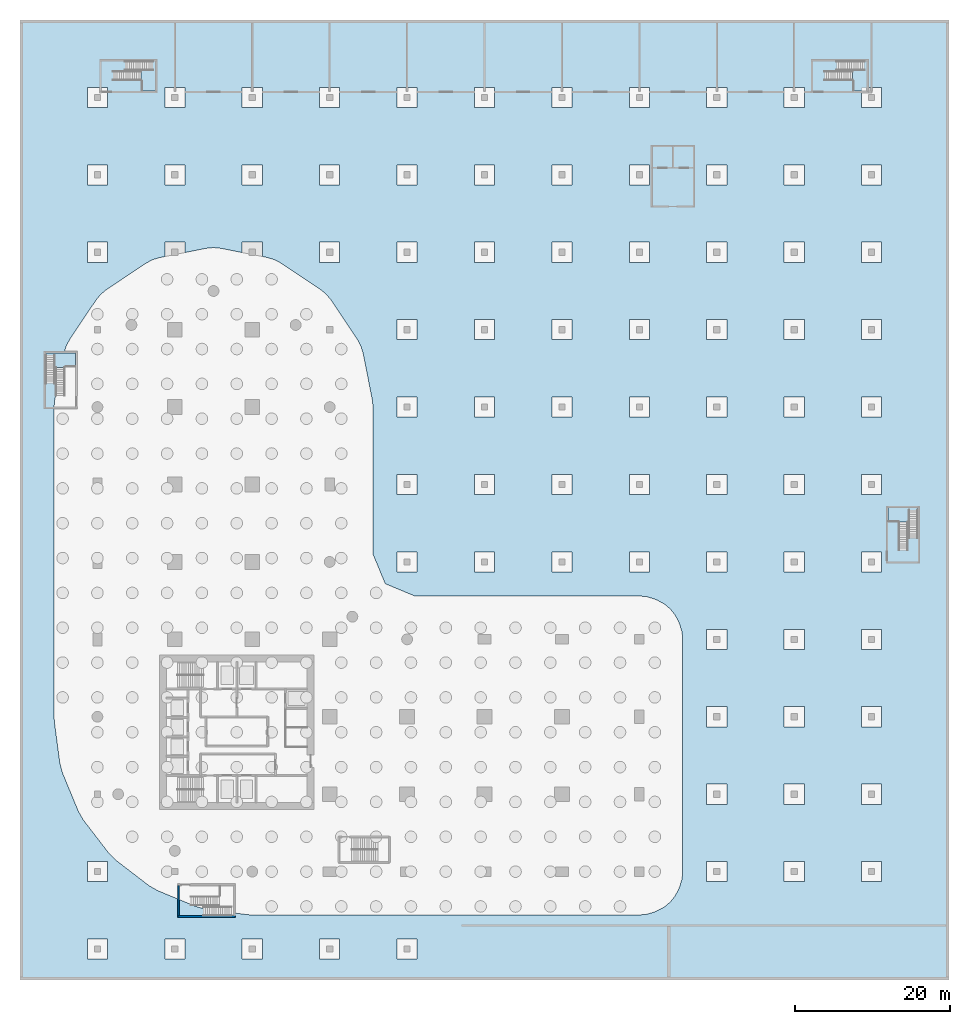
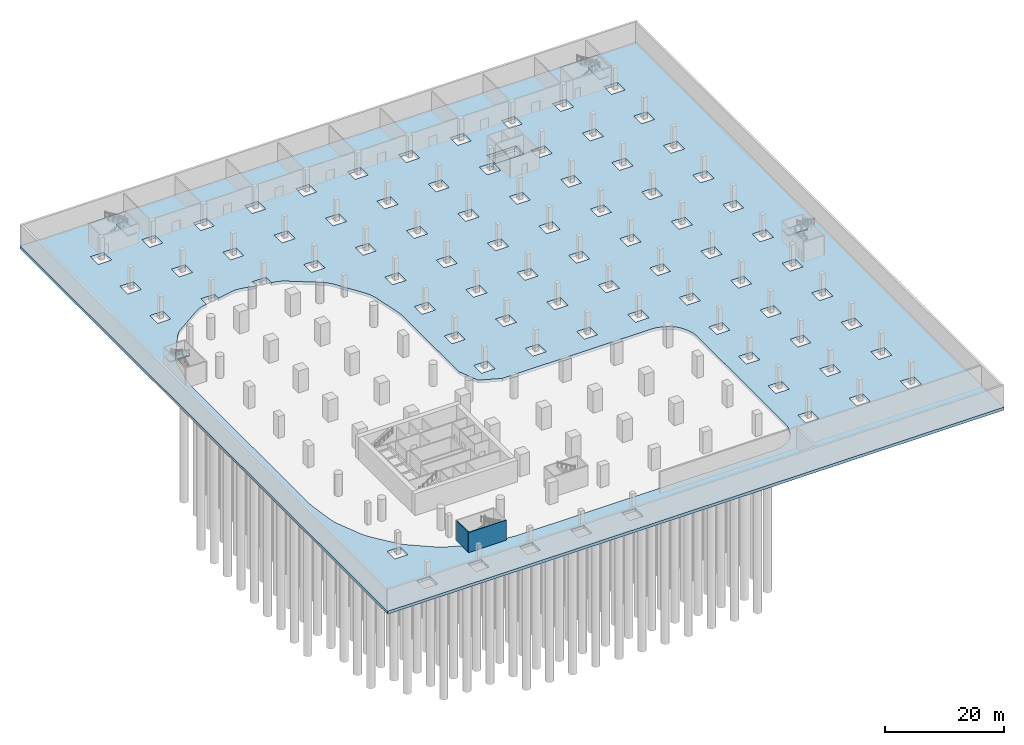
# One storey, part 4 of 19: 6 slabs, 2 walls, 4 elements without a shape of their own.
"""IFC4 building model written with IfcOpenShell, lengths in metres."""

from ifc_helpers import new_model, si_unit, direction, frame, frame_2d, origin, place, context, subcontext, project, spatial, polyline, rectangle, outline, extrude, material, layer, layer_set, type_object, element, aggregate, save


model = new_model("IFC4")

# Units and contexts
model_context = context("Model", 3, precision=1e-05, world=origin(), true_north=direction((0.0, 1.0)))
body_context = subcontext(model_context, "Body", "Model", "MODEL_VIEW")
ifc_project = project(units=[si_unit("LENGTHUNIT", "METRE"), si_unit("AREAUNIT", "SQUARE_METRE"), si_unit("VOLUMEUNIT", "CUBIC_METRE"), si_unit("PLANEANGLEUNIT", "RADIAN"), si_unit("MASSUNIT", "GRAM", prefix="KILO")], contexts=[model_context])

# Site, building, storey
site_placement = place(None, origin())
site = spatial("IfcSite", under=ifc_project, at=site_placement, CompositionType="ELEMENT")
building_placement = place(site_placement, origin())
building = spatial("IfcBuilding", under=site, at=building_placement, Name="Qaws Garden Tower", CompositionType="ELEMENT")
storey_placement = place(building_placement, frame((0.0, 0.0, -9.0)))
storey = spatial("IfcBuildingStorey", under=building, at=storey_placement, Name="B2", CompositionType="ELEMENT", Elevation=-9.0)

# Slabs
ifc_material_1 = material(Name="Concrete C45", Category="concrete")
ifc_layer_1 = layer(ifc_material_1, 0.60009765625)
ifc_layer_set_1 = layer_set([ifc_layer_1], Name="Concrete C45")
slab_type_1 = type_object("IfcSlabType", Name="Basement base slab 600", PredefinedType="BASESLAB", material=ifc_layer_set_1)
slab_1_placement = place(storey_placement, frame((0.0, 0.0, -0.60009765625)))
element("IfcSlab", 1, at=slab_1_placement, inside=storey, type_object=slab_type_1, Name="Basement base slab", PredefinedType="BASESLAB", context=body_context, shape_type="SweptSolid", body=[
    extrude(outline(polyline([(-10.0, -14.0), (110.0, -14.0), (110.0, 110.0), (-10.0, 110.0), (-10.0, -14.0)]), holes=[polyline([(-1.300048828125, -11.300048828125), (1.300048828125, -11.300048828125), (1.300048828125, -8.699951171875), (-1.300048828125, -8.699951171875), (-1.300048828125, -11.300048828125)]), polyline([(28.699951171875, -11.300048828125), (31.300048828125, -11.300048828125), (31.300048828125, -8.699951171875), (28.699951171875, -8.699951171875), (28.699951171875, -11.300048828125)]), polyline([(18.699951171875, -11.300048828125), (21.300048828125, -11.300048828125), (21.300048828125, -8.699951171875), (18.699951171875, -8.699951171875), (18.699951171875, -11.300048828125)]), polyline([(8.699951171875, -8.699951171875), (8.699951171875, -11.300048828125), (11.300048828125, -11.300048828125), (11.300048828125, -8.699951171875), (8.699951171875, -8.699951171875)]), polyline([(-1.300048828125, 1.300048828125), (-1.300048828125, -1.300048828125), (1.300048828125, -1.300048828125), (1.300048828125, 1.300048828125), (-1.300048828125, 1.300048828125)]), polyline([(-5.60009765625, 20.0), (-5.55712890625, 19.347412109375), (-4.855224609375, 14.015625), (-4.517578125, 12.7548828125), (-2.45947265625, 7.78662109375), (-1.806884765625, 6.65625), (1.466796875, 2.389892578125), (2.389892578125, 1.466796875), (6.65625, -1.806884765625), (7.78662109375, -2.45947265625), (12.7548828125, -4.517578125), (14.015625, -4.855224609375), (19.347412109375, -5.55712890625), (20.0, -5.60009765625), (70.0, -5.60009765625), (70.9755859375, -5.50390625), (71.913330078125, -5.219482421875), (72.337646484375, -5.043701171875), (73.2021484375, -4.58154296875), (73.959716796875, -3.959716796875), (74.58154296875, -3.2021484375), (75.043701171875, -2.337646484375), (75.219482421875, -1.913330078125), (75.50390625, -0.9755859375), (75.60009765625, 0.0), (75.60009765625, 30.0), (75.50390625, 30.9755859375), (75.219482421875, 31.913330078125), (75.043701171875, 32.337646484375), (74.58154296875, 33.2021484375), (73.959716796875, 33.959716796875), (73.2021484375, 34.58154296875), (72.337646484375, 35.043701171875), (71.913330078125, 35.219482421875), (70.9755859375, 35.50390625), (70.0, 35.60009765625), (40.99462890625, 35.60009765625), (37.179931640625, 37.179931640625), (35.60009765625, 40.99462890625), (35.60009765625, 60.0), (35.50390625, 60.9755859375), (34.31640625, 66.9453125), (34.031982421875, 67.88330078125), (33.56982421875, 68.747802734375), (30.188232421875, 73.80859375), (29.56640625, 74.56640625), (28.80859375, 75.188232421875), (23.747802734375, 78.56982421875), (22.88330078125, 79.031982421875), (21.9453125, 79.31640625), (21.300048828125, 79.44482421875), (21.300048828125, 81.300048828125), (18.699951171875, 81.300048828125), (18.699951171875, 79.9619140625), (15.9755859375, 80.50390625), (15.0, 80.60009765625), (14.0244140625, 80.50390625), (11.300048828125, 79.9619140625), (11.300048828125, 81.300048828125), (8.699951171875, 81.300048828125), (8.699951171875, 79.44482421875), (8.0546875, 79.31640625), (7.11669921875, 79.031982421875), (6.252197265625, 78.56982421875), (1.19140625, 75.188232421875), (0.43359375, 74.56640625), (-0.188232421875, 73.80859375), (-3.56982421875, 68.747802734375), (-4.031982421875, 67.88330078125), (-4.31640625, 66.9453125), (-5.50390625, 60.9755859375), (-5.60009765625, 60.0), (-5.60009765625, 20.0)]), polyline([(38.699951171875, 41.300048828125), (38.699951171875, 38.699951171875), (41.300048828125, 38.699951171875), (41.300048828125, 41.300048828125), (38.699951171875, 41.300048828125)]), polyline([(38.699951171875, 51.300048828125), (38.699951171875, 48.699951171875), (41.300048828125, 48.699951171875), (41.300048828125, 51.300048828125), (38.699951171875, 51.300048828125)]), polyline([(38.699951171875, 58.699951171875), (41.300048828125, 58.699951171875), (41.300048828125, 61.300048828125), (38.699951171875, 61.300048828125), (38.699951171875, 58.699951171875)]), polyline([(38.699951171875, 68.699951171875), (41.300048828125, 68.699951171875), (41.300048828125, 71.300048828125), (38.699951171875, 71.300048828125), (38.699951171875, 68.699951171875)]), polyline([(38.699951171875, 81.300048828125), (38.699951171875, 78.699951171875), (41.300048828125, 78.699951171875), (41.300048828125, 81.300048828125), (38.699951171875, 81.300048828125)]), polyline([(28.699951171875, 81.300048828125), (28.699951171875, 78.699951171875), (31.300048828125, 78.699951171875), (31.300048828125, 81.300048828125), (28.699951171875, 81.300048828125)]), polyline([(-1.300048828125, 78.699951171875), (1.300048828125, 78.699951171875), (1.300048828125, 81.300048828125), (-1.300048828125, 81.300048828125), (-1.300048828125, 78.699951171875)]), polyline([(-1.300048828125, 91.300048828125), (-1.300048828125, 88.699951171875), (1.300048828125, 88.699951171875), (1.300048828125, 91.300048828125), (-1.300048828125, 91.300048828125)]), polyline([(38.699951171875, 91.300048828125), (38.699951171875, 88.699951171875), (41.300048828125, 88.699951171875), (41.300048828125, 91.300048828125), (38.699951171875, 91.300048828125)]), polyline([(28.699951171875, 88.699951171875), (31.300048828125, 88.699951171875), (31.300048828125, 91.300048828125), (28.699951171875, 91.300048828125), (28.699951171875, 88.699951171875)]), polyline([(18.699951171875, 88.699951171875), (21.300048828125, 88.699951171875), (21.300048828125, 91.300048828125), (18.699951171875, 91.300048828125), (18.699951171875, 88.699951171875)]), polyline([(8.699951171875, 88.699951171875), (11.300048828125, 88.699951171875), (11.300048828125, 91.300048828125), (8.699951171875, 91.300048828125), (8.699951171875, 88.699951171875)]), polyline([(28.699951171875, 101.300048828125), (28.699951171875, 98.699951171875), (31.300048828125, 98.699951171875), (31.300048828125, 101.300048828125), (28.699951171875, 101.300048828125)]), polyline([(38.699951171875, 101.300048828125), (38.699951171875, 98.699951171875), (41.300048828125, 98.699951171875), (41.300048828125, 101.300048828125), (38.699951171875, 101.300048828125)]), polyline([(-1.300048828125, 98.699951171875), (1.300048828125, 98.699951171875), (1.300048828125, 101.300048828125), (-1.300048828125, 101.300048828125), (-1.300048828125, 98.699951171875)]), polyline([(18.699951171875, 98.699951171875), (21.300048828125, 98.699951171875), (21.300048828125, 101.300048828125), (18.699951171875, 101.300048828125), (18.699951171875, 98.699951171875)]), polyline([(8.699951171875, 98.699951171875), (11.300048828125, 98.699951171875), (11.300048828125, 101.300048828125), (8.699951171875, 101.300048828125), (8.699951171875, 98.699951171875)]), polyline([(38.699951171875, -8.699951171875), (38.699951171875, -11.300048828125), (41.300048828125, -11.300048828125), (41.300048828125, -8.699951171875), (38.699951171875, -8.699951171875)]), polyline([(78.699951171875, 1.300048828125), (78.699951171875, -1.300048828125), (81.300048828125, -1.300048828125), (81.300048828125, 1.300048828125), (78.699951171875, 1.300048828125)]), polyline([(48.699951171875, 38.699951171875), (51.300048828125, 38.699951171875), (51.300048828125, 41.300048828125), (48.699951171875, 41.300048828125), (48.699951171875, 38.699951171875)]), polyline([(68.699951171875, 38.699951171875), (71.300048828125, 38.699951171875), (71.300048828125, 41.300048828125), (68.699951171875, 41.300048828125), (68.699951171875, 38.699951171875)]), polyline([(58.699951171875, 38.699951171875), (61.300048828125, 38.699951171875), (61.300048828125, 41.300048828125), (58.699951171875, 41.300048828125), (58.699951171875, 38.699951171875)]), polyline([(48.699951171875, 51.300048828125), (48.699951171875, 48.699951171875), (51.300048828125, 48.699951171875), (51.300048828125, 51.300048828125), (48.699951171875, 51.300048828125)]), polyline([(58.699951171875, 51.300048828125), (58.699951171875, 48.699951171875), (61.300048828125, 48.699951171875), (61.300048828125, 51.300048828125), (58.699951171875, 51.300048828125)]), polyline([(68.699951171875, 48.699951171875), (71.300048828125, 48.699951171875), (71.300048828125, 51.300048828125), (68.699951171875, 51.300048828125), (68.699951171875, 48.699951171875)]), polyline([(68.699951171875, 61.300048828125), (68.699951171875, 58.699951171875), (71.300048828125, 58.699951171875), (71.300048828125, 61.300048828125), (68.699951171875, 61.300048828125)]), polyline([(78.699951171875, 61.300048828125), (78.699951171875, 58.699951171875), (81.300048828125, 58.699951171875), (81.300048828125, 61.300048828125), (78.699951171875, 61.300048828125)]), polyline([(48.699951171875, 58.699951171875), (51.300048828125, 58.699951171875), (51.300048828125, 61.300048828125), (48.699951171875, 61.300048828125), (48.699951171875, 58.699951171875)]), polyline([(58.699951171875, 61.300048828125), (58.699951171875, 58.699951171875), (61.300048828125, 58.699951171875), (61.300048828125, 61.300048828125), (58.699951171875, 61.300048828125)]), polyline([(48.699951171875, 71.300048828125), (48.699951171875, 68.699951171875), (51.300048828125, 68.699951171875), (51.300048828125, 71.300048828125), (48.699951171875, 71.300048828125)]), polyline([(58.699951171875, 68.699951171875), (61.300048828125, 68.699951171875), (61.300048828125, 71.300048828125), (58.699951171875, 71.300048828125), (58.699951171875, 68.699951171875)]), polyline([(78.699951171875, 68.699951171875), (81.300048828125, 68.699951171875), (81.300048828125, 71.300048828125), (78.699951171875, 71.300048828125), (78.699951171875, 68.699951171875)]), polyline([(68.699951171875, 68.699951171875), (71.300048828125, 68.699951171875), (71.300048828125, 71.300048828125), (68.699951171875, 71.300048828125), (68.699951171875, 68.699951171875)]), polyline([(58.699951171875, 81.300048828125), (58.699951171875, 78.699951171875), (61.300048828125, 78.699951171875), (61.300048828125, 81.300048828125), (58.699951171875, 81.300048828125)]), polyline([(48.699951171875, 81.300048828125), (48.699951171875, 78.699951171875), (51.300048828125, 78.699951171875), (51.300048828125, 81.300048828125), (48.699951171875, 81.300048828125)]), polyline([(68.699951171875, 78.699951171875), (71.300048828125, 78.699951171875), (71.300048828125, 81.300048828125), (68.699951171875, 81.300048828125), (68.699951171875, 78.699951171875)]), polyline([(78.699951171875, 78.699951171875), (81.300048828125, 78.699951171875), (81.300048828125, 81.300048828125), (78.699951171875, 81.300048828125), (78.699951171875, 78.699951171875)]), polyline([(48.699951171875, 88.699951171875), (51.300048828125, 88.699951171875), (51.300048828125, 91.300048828125), (48.699951171875, 91.300048828125), (48.699951171875, 88.699951171875)]), polyline([(78.699951171875, 91.300048828125), (78.699951171875, 88.699951171875), (81.300048828125, 88.699951171875), (81.300048828125, 91.300048828125), (78.699951171875, 91.300048828125)]), polyline([(68.699951171875, 91.300048828125), (68.699951171875, 88.699951171875), (71.300048828125, 88.699951171875), (71.300048828125, 91.300048828125), (68.699951171875, 91.300048828125)]), polyline([(58.699951171875, 88.699951171875), (61.300048828125, 88.699951171875), (61.300048828125, 91.300048828125), (58.699951171875, 91.300048828125), (58.699951171875, 88.699951171875)]), polyline([(71.5, 90.89990234375), (77.14990234375, 90.89990234375), (77.14990234375, 93.699951171875), (71.5, 93.699951171875), (71.5, 90.89990234375)]), polyline([(68.699951171875, 98.699951171875), (71.300048828125, 98.699951171875), (71.300048828125, 101.300048828125), (68.699951171875, 101.300048828125), (68.699951171875, 98.699951171875)]), polyline([(48.699951171875, 101.300048828125), (48.699951171875, 98.699951171875), (51.300048828125, 98.699951171875), (51.300048828125, 101.300048828125), (48.699951171875, 101.300048828125)]), polyline([(78.699951171875, 101.300048828125), (78.699951171875, 98.699951171875), (81.300048828125, 98.699951171875), (81.300048828125, 101.300048828125), (78.699951171875, 101.300048828125)]), polyline([(58.699951171875, 98.699951171875), (61.300048828125, 98.699951171875), (61.300048828125, 101.300048828125), (58.699951171875, 101.300048828125), (58.699951171875, 98.699951171875)]), polyline([(98.699951171875, 1.300048828125), (98.699951171875, -1.300048828125), (101.300048828125, -1.300048828125), (101.300048828125, 1.300048828125), (98.699951171875, 1.300048828125)]), polyline([(88.699951171875, 1.300048828125), (88.699951171875, -1.300048828125), (91.300048828125, -1.300048828125), (91.300048828125, 1.300048828125), (88.699951171875, 1.300048828125)]), polyline([(78.699951171875, 8.699951171875), (81.300048828125, 8.699951171875), (81.300048828125, 11.300048828125), (78.699951171875, 11.300048828125), (78.699951171875, 8.699951171875)]), polyline([(98.699951171875, 11.300048828125), (98.699951171875, 8.699951171875), (101.300048828125, 8.699951171875), (101.300048828125, 11.300048828125), (98.699951171875, 11.300048828125)]), polyline([(88.699951171875, 11.300048828125), (88.699951171875, 8.699951171875), (91.300048828125, 8.699951171875), (91.300048828125, 11.300048828125), (88.699951171875, 11.300048828125)]), polyline([(78.699951171875, 18.699951171875), (81.300048828125, 18.699951171875), (81.300048828125, 21.300048828125), (78.699951171875, 21.300048828125), (78.699951171875, 18.699951171875)]), polyline([(98.699951171875, 18.699951171875), (101.300048828125, 18.699951171875), (101.300048828125, 21.300048828125), (98.699951171875, 21.300048828125), (98.699951171875, 18.699951171875)]), polyline([(88.699951171875, 18.699951171875), (91.300048828125, 18.699951171875), (91.300048828125, 21.300048828125), (88.699951171875, 21.300048828125), (88.699951171875, 18.699951171875)]), polyline([(78.699951171875, 31.300048828125), (78.699951171875, 28.699951171875), (81.300048828125, 28.699951171875), (81.300048828125, 31.300048828125), (78.699951171875, 31.300048828125)]), polyline([(98.699951171875, 31.300048828125), (98.699951171875, 28.699951171875), (101.300048828125, 28.699951171875), (101.300048828125, 31.300048828125), (98.699951171875, 31.300048828125)]), polyline([(88.699951171875, 28.699951171875), (91.300048828125, 28.699951171875), (91.300048828125, 31.300048828125), (88.699951171875, 31.300048828125), (88.699951171875, 28.699951171875)]), polyline([(78.699951171875, 41.300048828125), (78.699951171875, 38.699951171875), (81.300048828125, 38.699951171875), (81.300048828125, 41.300048828125), (78.699951171875, 41.300048828125)]), polyline([(98.699951171875, 41.300048828125), (98.699951171875, 38.699951171875), (101.300048828125, 38.699951171875), (101.300048828125, 41.300048828125), (98.699951171875, 41.300048828125)]), polyline([(88.699951171875, 38.699951171875), (91.300048828125, 38.699951171875), (91.300048828125, 41.300048828125), (88.699951171875, 41.300048828125), (88.699951171875, 38.699951171875)]), polyline([(88.699951171875, 51.300048828125), (88.699951171875, 48.699951171875), (91.300048828125, 48.699951171875), (91.300048828125, 51.300048828125), (88.699951171875, 51.300048828125)]), polyline([(78.699951171875, 51.300048828125), (78.699951171875, 48.699951171875), (81.300048828125, 48.699951171875), (81.300048828125, 51.300048828125), (78.699951171875, 51.300048828125)]), polyline([(98.699951171875, 48.699951171875), (101.300048828125, 48.699951171875), (101.300048828125, 51.300048828125), (98.699951171875, 51.300048828125), (98.699951171875, 48.699951171875)]), polyline([(88.699951171875, 58.699951171875), (91.300048828125, 58.699951171875), (91.300048828125, 61.300048828125), (88.699951171875, 61.300048828125), (88.699951171875, 58.699951171875)]), polyline([(98.699951171875, 58.699951171875), (101.300048828125, 58.699951171875), (101.300048828125, 61.300048828125), (98.699951171875, 61.300048828125), (98.699951171875, 58.699951171875)]), polyline([(88.699951171875, 71.300048828125), (88.699951171875, 68.699951171875), (91.300048828125, 68.699951171875), (91.300048828125, 71.300048828125), (88.699951171875, 71.300048828125)]), polyline([(98.699951171875, 71.300048828125), (98.699951171875, 68.699951171875), (101.300048828125, 68.699951171875), (101.300048828125, 71.300048828125), (98.699951171875, 71.300048828125)]), polyline([(88.699951171875, 78.699951171875), (91.300048828125, 78.699951171875), (91.300048828125, 81.300048828125), (88.699951171875, 81.300048828125), (88.699951171875, 78.699951171875)]), polyline([(98.699951171875, 81.300048828125), (98.699951171875, 78.699951171875), (101.300048828125, 78.699951171875), (101.300048828125, 81.300048828125), (98.699951171875, 81.300048828125)]), polyline([(88.699951171875, 91.300048828125), (88.699951171875, 88.699951171875), (91.300048828125, 88.699951171875), (91.300048828125, 91.300048828125), (88.699951171875, 91.300048828125)]), polyline([(98.699951171875, 88.699951171875), (101.300048828125, 88.699951171875), (101.300048828125, 91.300048828125), (98.699951171875, 91.300048828125), (98.699951171875, 88.699951171875)]), polyline([(88.699951171875, 101.300048828125), (88.699951171875, 98.699951171875), (91.300048828125, 98.699951171875), (91.300048828125, 101.300048828125), (88.699951171875, 101.300048828125)]), polyline([(98.699951171875, 101.300048828125), (98.699951171875, 98.699951171875), (101.300048828125, 98.699951171875), (101.300048828125, 101.300048828125), (98.699951171875, 101.300048828125)])]), origin(), (0.0, 0.0, 1.0), 0.60009765625),
])
ifc_material_2 = material(Name="Concrete C45", Category="concrete")
ifc_layer_2 = layer(ifc_material_2, 0.60009765625)
ifc_layer_set_2 = layer_set([ifc_layer_2], Name="Concrete C45")
slab_type_2 = type_object("IfcSlabType", Name="Lift pit slab 600", PredefinedType="BASESLAB", material=ifc_layer_set_2)
slab_2_placement = place(storey_placement, frame((0.0, 0.0, -1.60009765625)))
element("IfcSlab", 2, at=slab_2_placement, inside=storey, type_object=slab_type_2, Name="Lift pit slab", PredefinedType="BASESLAB", context=body_context, shape_type="SweptSolid", body=[
    extrude(outline(polyline([(71.5, 90.89990234375), (77.14990234375, 90.89990234375), (77.14990234375, 93.699951171875), (71.5, 93.699951171875), (71.5, 90.89990234375)])), origin(), (0.0, 0.0, 1.0), 0.60009765625),
])

# Stair, slab
ifc_material_3 = material(Name="Concrete C40", Category="concrete")
stair_type = type_object("IfcStairType", Name="Basement exit stair 1200", PredefinedType="HALF_TURN_STAIR", material=ifc_material_3)
placement_1 = place(storey_placement, origin())
stair_1 = element("IfcStair", 3, at=placement_1, inside=storey, type_object=stair_type, Name="Exit stair N1 B2 to B1", PredefinedType="HALF_TURN_STAIR")
ifc_material_4 = material(Name="Concrete C40", Category="concrete")
ifc_layer_3 = layer(ifc_material_4, 0.25)
ifc_layer_set_3 = layer_set([ifc_layer_3], Name="Concrete C40")
slab_type_3 = type_object("IfcSlabType", Name="Stair landing 250", PredefinedType="LANDING", material=ifc_layer_set_3)
placement_2 = place(storey_placement, frame((0.0, 0.0, 2.0)))
slab_3 = element("IfcSlab", 4, at=placement_2, type_object=slab_type_3, Name="PST2 landing 1", PredefinedType="LANDING", context=body_context, shape_type="SweptSolid", body=[
    extrude(outline(polyline([(5.639892578125, 100.800048828125), (7.5, 100.800048828125), (7.5, 104.699951171875), (5.639892578125, 104.699951171875), (5.639892578125, 100.800048828125)])), origin(), (0.0, 0.0, 1.0), 0.25),
])
aggregate(stair_1, [slab_3])

stair_2 = element("IfcStair", 5, at=placement_1, inside=storey, type_object=stair_type, Name="Exit stair N2 B2 to B1", PredefinedType="HALF_TURN_STAIR")
slab_4 = element("IfcSlab", 6, at=placement_2, type_object=slab_type_3, Name="PST2 landing 1", PredefinedType="LANDING", context=body_context, shape_type="SweptSolid", body=[
    extrude(outline(polyline([(97.5400390625, 100.800048828125), (99.39990234375, 100.800048828125), (99.39990234375, 104.699951171875), (97.5400390625, 104.699951171875), (97.5400390625, 100.800048828125)])), origin(), (0.0, 0.0, 1.0), 0.25),
])
aggregate(stair_2, [slab_4])

stair_3 = element("IfcStair", 7, at=placement_1, inside=storey, type_object=stair_type, Name="Exit stair E1 B2 to B1", PredefinedType="HALF_TURN_STAIR")
slab_5 = element("IfcSlab", 8, at=placement_2, type_object=slab_type_3, Name="PST2 landing 1", PredefinedType="LANDING", context=body_context, shape_type="SweptSolid", body=[
    extrude(outline(polyline([(102.10009765625, 45.139892578125), (102.10009765625, 47.0), (106.0, 47.0), (106.0, 45.139892578125), (102.10009765625, 45.139892578125)])), origin(), (0.0, 0.0, 1.0), 0.25),
])
aggregate(stair_3, [slab_5])

stair_4 = element("IfcStair", 9, at=placement_1, inside=storey, type_object=stair_type, Name="Exit stair W1 B2 to B1", PredefinedType="HALF_TURN_STAIR")
slab_6 = element("IfcSlab", 10, at=placement_2, type_object=slab_type_3, Name="PST2 landing 1", PredefinedType="LANDING", context=body_context, shape_type="SweptSolid", body=[
    extrude(outline(polyline([(-2.800048828125, 65.139892578125), (-2.800048828125, 67.0), (-6.699951171875, 67.0), (-6.699951171875, 65.139892578125), (-2.800048828125, 65.139892578125)])), origin(), (0.0, 0.0, 1.0), 0.25),
])
aggregate(stair_4, [slab_6])

# Walls
ifc_material_5 = material(Name="Concrete C40", Category="concrete")
ifc_layer_4 = layer(ifc_material_5, 0.199951171875)
ifc_layer_set_4 = layer_set([ifc_layer_4], Name="Concrete C40")
wall_type = type_object("IfcWallType", Name="Stair enclosure wall 200", PredefinedType="SOLIDWALL", material=ifc_layer_set_4)
wall_1_placement = place(storey_placement, frame((10.39990234375, -5.800048828125, 0.0), z_axis=(0.0, 0.0, 1.0), x_axis=(1.0, 0.0, 0.0)))
element("IfcWall", 11, at=wall_1_placement, inside=storey, type_object=wall_type, Name="Stair S1 enclosure wall", PredefinedType="SOLIDWALL", context=body_context, shape_type="SweptSolid", body=[
    extrude(rectangle(XDim=7.400146484375, YDim=0.199951171875, at=frame_2d((3.7001953125, 0.0))), origin(), (0.0, 0.0, 1.0), 4.10009765625),
])
wall_2_placement = place(storey_placement, frame((10.5, -1.800048828125, 0.0), z_axis=(0.0, 0.0, 1.0), x_axis=(0.0, -1.0, 0.0)))
element("IfcWall", 12, at=wall_2_placement, inside=storey, type_object=wall_type, Name="Stair S1 enclosure wall", PredefinedType="SOLIDWALL", context=body_context, shape_type="SweptSolid", body=[
    extrude(rectangle(XDim=3.89990234375, YDim=0.199951171875, at=frame_2d((1.949951171875, 0.0))), origin(), (0.0, 0.0, 1.0), 4.10009765625),
])

save(model, "model.ifc")
